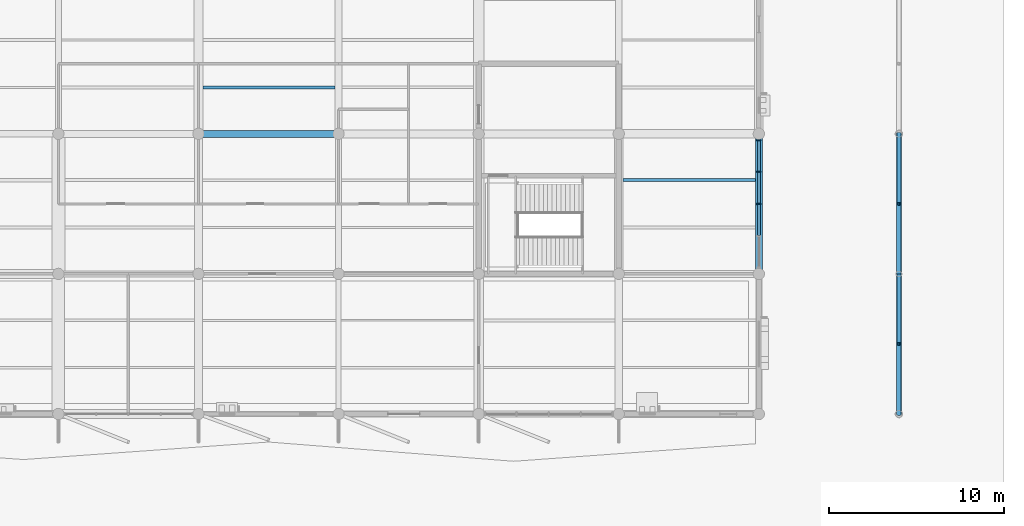
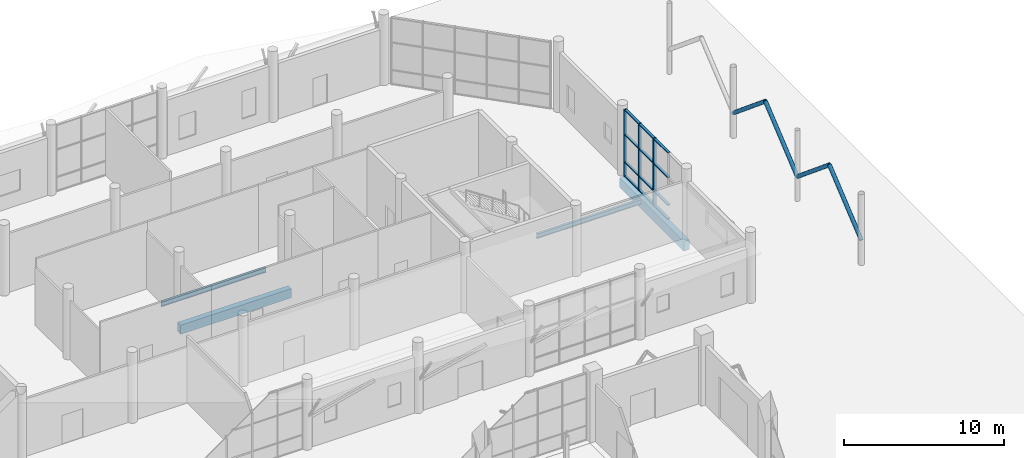
# One storey, part 59 of 123: 19 members, 4 beams, 1 element without a shape of its own.
"""IFC4 building model written with IfcOpenShell, lengths in metres."""

from ifc_helpers import new_model, si_unit, direction, frame, origin, origin_2d, place, context, subcontext, project, spatial, rectangle, hollow_circle, i_section, extrude, material, material_profile, profile_set, type_object, element, aggregate, save


model = new_model("IFC4")

# Units and contexts
model_context = context("Model", 3, precision=1e-05, world=origin(), true_north=direction((0.0, 1.0)))
body_context = subcontext(model_context, "Body", "Model", "MODEL_VIEW")
ifc_project = project(units=[si_unit("LENGTHUNIT", "METRE"), si_unit("AREAUNIT", "SQUARE_METRE"), si_unit("VOLUMEUNIT", "CUBIC_METRE"), si_unit("PLANEANGLEUNIT", "RADIAN"), si_unit("MASSUNIT", "GRAM", prefix="KILO")], contexts=[model_context])

# Site, building, storey
site_placement = place(None, origin())
site = spatial("IfcSite", under=ifc_project, at=site_placement, CompositionType="ELEMENT")
building_placement = place(site_placement, origin())
building = spatial("IfcBuilding", under=site, at=building_placement, Name="Tenunan Teduh Sports Hall", CompositionType="ELEMENT")
storey_placement = place(building_placement, origin())
storey = spatial("IfcBuildingStorey", under=building, at=storey_placement, Name="L00", CompositionType="ELEMENT", Elevation=0.0)

# Beams
ifc_material_1 = material(Name="Concrete C40/50", Category="concrete")
ifc_material_profile_1 = material_profile(ifc_material_1, rectangle(XDim=0.39990234375, YDim=0.699951171875, at=origin_2d()), Name="RCB 400x700")
ifc_profile_set_1 = profile_set([ifc_material_profile_1], Name="Concrete C40/50")
beam_type_1 = type_object("IfcBeamType", Name="BM-RC-400x700", PredefinedType="BEAM", material=ifc_profile_set_1)
beam_1_placement = place(storey_placement, frame((130.0, 102.0, -0.6298828125), z_axis=(1.0, 0.0, 0.0), x_axis=(0.0, 1.0, 0.0)))
element("IfcBeam", 1, at=beam_1_placement, inside=storey, type_object=beam_type_1, Name="BM-B-08-L00-0729", PredefinedType="BEAM", context=body_context, shape_type="SweptSolid", body=[
    extrude(rectangle(XDim=0.39990234375, YDim=0.699951171875, at=origin_2d()), origin(), (0.0, 0.0, 1.0), 8.0),
])
ifc_material_2 = material(Name="Concrete C40/50", Category="concrete")
ifc_material_profile_2 = material_profile(ifc_material_2, rectangle(XDim=0.39990234375, YDim=0.75, at=origin_2d()), Name="RCB 400x750")
ifc_profile_set_2 = profile_set([ifc_material_profile_2], Name="Concrete C40/50")
beam_type_2 = type_object("IfcBeamType", Name="BM-RC-400x750", PredefinedType="BEAM", material=ifc_profile_set_2)
beam_2_placement = place(storey_placement, frame((162.0, 94.0, -0.655029296875), z_axis=(0.0, 1.0, 0.0), x_axis=(-1.0, 0.0, 0.0)))
element("IfcBeam", 2, at=beam_2_placement, inside=storey, type_object=beam_type_2, Name="BM-B-09-L00-0888", PredefinedType="BEAM", context=body_context, shape_type="SweptSolid", body=[
    extrude(rectangle(XDim=0.39990234375, YDim=0.75, at=origin_2d()), origin(), (0.0, 0.0, 1.0), 8.0),
])

# Curtain wall, members
ifc_material_3 = material(Name="Anodised aluminium", Category="aluminium")
curtain_wall_type = type_object("IfcCurtainWallType", Name="CW-UNIT-1", PredefinedType="NOTDEFINED", material=ifc_material_3)
curtain_wall_placement = place(storey_placement, origin())
curtain_wall = element("IfcCurtainWall", 3, at=curtain_wall_placement, inside=storey, type_object=curtain_wall_type, Name="CW-CWM-220-L00-237", PredefinedType="NOTDEFINED")
ifc_material_4 = material(Name="Anodised aluminium", Category="aluminium")
ifc_material_profile_3 = material_profile(ifc_material_4, rectangle(XDim=0.074951171875, YDim=0.219970703125, at=origin_2d()), Name="CWM 75x220")
ifc_profile_set_3 = profile_set([ifc_material_profile_3], Name="Anodised aluminium")
member_type_1 = type_object("IfcMemberType", Name="CWM-220", PredefinedType="MULLION", material=ifc_profile_set_3)
member_1_placement = place(storey_placement, frame((162.0, 98.0, 0.0), z_axis=(0.0, 0.0, 1.0), x_axis=(0.0, 1.0, 0.0)))
member_1 = element("IfcMember", 4, at=member_1_placement, type_object=member_type_1, Name="CW-01 mullion 3", PredefinedType="MULLION", context=body_context, shape_type="SweptSolid", body=[
    extrude(rectangle(XDim=0.074951171875, YDim=0.219970703125, at=origin_2d()), origin(), (0.0, 0.0, 1.0), 5.1201171875),
])
member_2_placement = place(storey_placement, frame((162.0, 99.83740234375, 0.0), z_axis=(0.0, 0.0, 1.0), x_axis=(0.0, 1.0, 0.0)))
member_2 = element("IfcMember", 5, at=member_2_placement, type_object=member_type_1, Name="CW-01 mullion 4", PredefinedType="MULLION", context=body_context, shape_type="SweptSolid", body=[
    extrude(rectangle(XDim=0.074951171875, YDim=0.219970703125, at=origin_2d()), origin(), (0.0, 0.0, 1.0), 5.1201171875),
])
member_3_placement = place(storey_placement, frame((162.0, 101.637451171875, 0.0), z_axis=(0.0, 0.0, 1.0), x_axis=(0.0, 1.0, 0.0)))
member_3 = element("IfcMember", 6, at=member_3_placement, type_object=member_type_1, Name="CW-01 mullion 5", PredefinedType="MULLION", context=body_context, shape_type="SweptSolid", body=[
    extrude(rectangle(XDim=0.074951171875, YDim=0.219970703125, at=origin_2d()), origin(), (0.0, 0.0, 1.0), 5.1201171875),
])
ifc_material_5 = material(Name="Anodised aluminium", Category="aluminium")
ifc_material_profile_4 = material_profile(ifc_material_5, rectangle(XDim=0.074951171875, YDim=0.179931640625, at=origin_2d()), Name="CWT 75x180")
ifc_profile_set_4 = profile_set([ifc_material_profile_4], Name="Anodised aluminium")
member_type_2 = type_object("IfcMemberType", Name="CWT-180", PredefinedType="USERDEFINED", material=ifc_profile_set_4)
member_4_placement = place(storey_placement, frame((162.0, 96.199951171875, 0.03759765625), z_axis=(0.0, 1.0, 0.0), x_axis=(0.0, 0.0, 1.0)))
member_4 = element("IfcMember", 7, at=member_4_placement, type_object=member_type_2, Name="CW-01 transom 2.1", ObjectType="TRANSOM", PredefinedType="USERDEFINED", context=body_context, shape_type="SweptSolid", body=[
    extrude(rectangle(XDim=0.074951171875, YDim=0.179931640625, at=origin_2d()), origin(), (0.0, 0.0, 1.0), 1.762451171875),
])
member_5_placement = place(storey_placement, frame((162.0, 96.199951171875, 1.10009765625), z_axis=(0.0, 1.0, 0.0), x_axis=(0.0, 0.0, 1.0)))
member_5 = element("IfcMember", 8, at=member_5_placement, type_object=member_type_2, Name="CW-01 transom 2.2", ObjectType="TRANSOM", PredefinedType="USERDEFINED", context=body_context, shape_type="SweptSolid", body=[
    extrude(rectangle(XDim=0.074951171875, YDim=0.179931640625, at=origin_2d()), origin(), (0.0, 0.0, 1.0), 1.762451171875),
])
member_6_placement = place(storey_placement, frame((162.0, 96.199951171875, 3.199951171875), z_axis=(0.0, 1.0, 0.0), x_axis=(0.0, 0.0, 1.0)))
member_6 = element("IfcMember", 9, at=member_6_placement, type_object=member_type_2, Name="CW-01 transom 2.3", ObjectType="TRANSOM", PredefinedType="USERDEFINED", context=body_context, shape_type="SweptSolid", body=[
    extrude(rectangle(XDim=0.074951171875, YDim=0.179931640625, at=origin_2d()), origin(), (0.0, 0.0, 1.0), 1.762451171875),
])
member_7_placement = place(storey_placement, frame((162.0, 96.199951171875, 5.08251953125), z_axis=(0.0, 1.0, 0.0), x_axis=(0.0, 0.0, 1.0)))
member_7 = element("IfcMember", 10, at=member_7_placement, type_object=member_type_2, Name="CW-01 transom 2.4", ObjectType="TRANSOM", PredefinedType="USERDEFINED", context=body_context, shape_type="SweptSolid", body=[
    extrude(rectangle(XDim=0.074951171875, YDim=0.179931640625, at=origin_2d()), origin(), (0.0, 0.0, 1.0), 1.762451171875),
])
member_8_placement = place(storey_placement, frame((162.0, 98.03759765625, 0.03759765625), z_axis=(0.0, 1.0, 0.0), x_axis=(0.0, 0.0, 1.0)))
member_8 = element("IfcMember", 11, at=member_8_placement, type_object=member_type_2, Name="CW-01 transom 3.1", ObjectType="TRANSOM", PredefinedType="USERDEFINED", context=body_context, shape_type="SweptSolid", body=[
    extrude(rectangle(XDim=0.074951171875, YDim=0.179931640625, at=origin_2d()), origin(), (0.0, 0.0, 1.0), 1.762451171875),
])
member_9_placement = place(storey_placement, frame((162.0, 98.03759765625, 1.10009765625), z_axis=(0.0, 1.0, 0.0), x_axis=(0.0, 0.0, 1.0)))
member_9 = element("IfcMember", 12, at=member_9_placement, type_object=member_type_2, Name="CW-01 transom 3.2", ObjectType="TRANSOM", PredefinedType="USERDEFINED", context=body_context, shape_type="SweptSolid", body=[
    extrude(rectangle(XDim=0.074951171875, YDim=0.179931640625, at=origin_2d()), origin(), (0.0, 0.0, 1.0), 1.762451171875),
])
member_10_placement = place(storey_placement, frame((162.0, 98.03759765625, 3.199951171875), z_axis=(0.0, 1.0, 0.0), x_axis=(0.0, 0.0, 1.0)))
member_10 = element("IfcMember", 13, at=member_10_placement, type_object=member_type_2, Name="CW-01 transom 3.3", ObjectType="TRANSOM", PredefinedType="USERDEFINED", context=body_context, shape_type="SweptSolid", body=[
    extrude(rectangle(XDim=0.074951171875, YDim=0.179931640625, at=origin_2d()), origin(), (0.0, 0.0, 1.0), 1.762451171875),
])
member_11_placement = place(storey_placement, frame((162.0, 98.03759765625, 5.08251953125), z_axis=(0.0, 1.0, 0.0), x_axis=(0.0, 0.0, 1.0)))
member_11 = element("IfcMember", 14, at=member_11_placement, type_object=member_type_2, Name="CW-01 transom 3.4", ObjectType="TRANSOM", PredefinedType="USERDEFINED", context=body_context, shape_type="SweptSolid", body=[
    extrude(rectangle(XDim=0.074951171875, YDim=0.179931640625, at=origin_2d()), origin(), (0.0, 0.0, 1.0), 1.762451171875),
])
member_12_placement = place(storey_placement, frame((162.0, 99.875, 0.03759765625), z_axis=(0.0, 1.0, 0.0), x_axis=(0.0, 0.0, 1.0)))
member_12 = element("IfcMember", 15, at=member_12_placement, type_object=member_type_2, Name="CW-01 transom 4.1", ObjectType="TRANSOM", PredefinedType="USERDEFINED", context=body_context, shape_type="SweptSolid", body=[
    extrude(rectangle(XDim=0.074951171875, YDim=0.179931640625, at=origin_2d()), origin(), (0.0, 0.0, 1.0), 1.72509765625),
])
member_13_placement = place(storey_placement, frame((162.0, 99.875, 1.10009765625), z_axis=(0.0, 1.0, 0.0), x_axis=(0.0, 0.0, 1.0)))
member_13 = element("IfcMember", 16, at=member_13_placement, type_object=member_type_2, Name="CW-01 transom 4.2", ObjectType="TRANSOM", PredefinedType="USERDEFINED", context=body_context, shape_type="SweptSolid", body=[
    extrude(rectangle(XDim=0.074951171875, YDim=0.179931640625, at=origin_2d()), origin(), (0.0, 0.0, 1.0), 1.72509765625),
])
member_14_placement = place(storey_placement, frame((162.0, 99.875, 3.199951171875), z_axis=(0.0, 1.0, 0.0), x_axis=(0.0, 0.0, 1.0)))
member_14 = element("IfcMember", 17, at=member_14_placement, type_object=member_type_2, Name="CW-01 transom 4.3", ObjectType="TRANSOM", PredefinedType="USERDEFINED", context=body_context, shape_type="SweptSolid", body=[
    extrude(rectangle(XDim=0.074951171875, YDim=0.179931640625, at=origin_2d()), origin(), (0.0, 0.0, 1.0), 1.72509765625),
])
member_15_placement = place(storey_placement, frame((162.0, 99.875, 5.08251953125), z_axis=(0.0, 1.0, 0.0), x_axis=(0.0, 0.0, 1.0)))
member_15 = element("IfcMember", 18, at=member_15_placement, type_object=member_type_2, Name="CW-01 transom 4.4", ObjectType="TRANSOM", PredefinedType="USERDEFINED", context=body_context, shape_type="SweptSolid", body=[
    extrude(rectangle(XDim=0.074951171875, YDim=0.179931640625, at=origin_2d()), origin(), (0.0, 0.0, 1.0), 1.72509765625),
])
aggregate(curtain_wall, [member_1, member_2, member_3, member_4, member_5, member_6, member_7, member_8, member_9, member_10, member_11, member_12, member_13, member_14, member_15])

# Beams
ifc_material_6 = material(Name="Steel S355", Category="steel")
ifc_material_profile_5 = material_profile(ifc_material_6, i_section(OverallWidth=0.169921875, OverallDepth=0.360107421875, WebThickness=0.008056640625, FlangeThickness=0.0126953125, FilletRadius=0.01806640625, at=origin_2d()), Name="IPE 360")
ifc_profile_set_5 = profile_set([ifc_material_profile_5], Name="Steel S355")
beam_type_3 = type_object("IfcBeamType", Name="JST-IPE360", PredefinedType="JOIST", material=ifc_profile_set_5)
for number, where, z_axis, x_axis, name in (
    (19, (130.25, 104.64990234375, -0.4599609375), (1.0, 0.0, 0.0), (0.0, 1.0, 0.0), "BM-J-05-L00-1016"),
    (20, (154.25, 99.35009765625, -0.4599609375), (1.0, 0.0, 0.0), (0.0, 1.0, 0.0), "BM-J-05-L00-1049"),
):
    element("IfcBeam", number, at=place(storey_placement, frame(where, z_axis=z_axis, x_axis=x_axis)), inside=storey, type_object=beam_type_3, Name=name, PredefinedType="JOIST", context=body_context, shape_type="SweptSolid", body=[
        extrude(i_section(OverallWidth=0.169921875, OverallDepth=0.360107421875, WebThickness=0.008056640625, FlangeThickness=0.0126953125, FilletRadius=0.01806640625, at=origin_2d()), origin(), (0.0, 0.0, 1.0), 7.550048828125),
    ])

# Members
ifc_material_7 = material(Name="Steel S355", Category="steel")
ifc_material_profile_6 = material_profile(ifc_material_7, hollow_circle(Radius=0.136474609375, WallThickness=0.010009765625, at=origin_2d()), Name="CHS 273.0x10.0")
ifc_profile_set_6 = profile_set([ifc_material_profile_6], Name="Steel S355")
member_type_3 = type_object("IfcMemberType", Name="MEM-ST-CHS273", PredefinedType="STRUT", material=ifc_profile_set_6)
for number, where, z_axis, x_axis, name in (
    (21, (170.0, 86.0, 1.800048828125), (0.0, 0.76947477025, 0.638677209511), (-1.0, 0.0, 0.0), "MEM-VS-04-L00-1020"),
    (22, (170.0, 94.0, 1.800048828125), (0.0, -0.76947477025, 0.638677209511), (1.0, 0.0, 0.0), "MEM-VS-04-L00-1021"),
    (23, (170.0, 94.0, 1.800048828125), (0.0, 0.76947477025, 0.638677209511), (-1.0, 0.0, 0.0), "MEM-VS-04-L00-1025"),
    (24, (170.0, 102.0, 1.800048828125), (0.0, -0.76947477025, 0.638677209511), (1.0, 0.0, 0.0), "MEM-VS-04-L00-1026"),
):
    element("IfcMember", number, at=place(storey_placement, frame(where, z_axis=z_axis, x_axis=x_axis)), inside=storey, type_object=member_type_3, Name=name, PredefinedType="STRUT", context=body_context, shape_type="SweptSolid", body=[
        extrude(hollow_circle(Radius=0.136474609375, WallThickness=0.010009765625, at=origin_2d()), origin(), (0.0, 0.0, 1.0), 5.1982421875),
    ])

save(model, "model.ifc")
